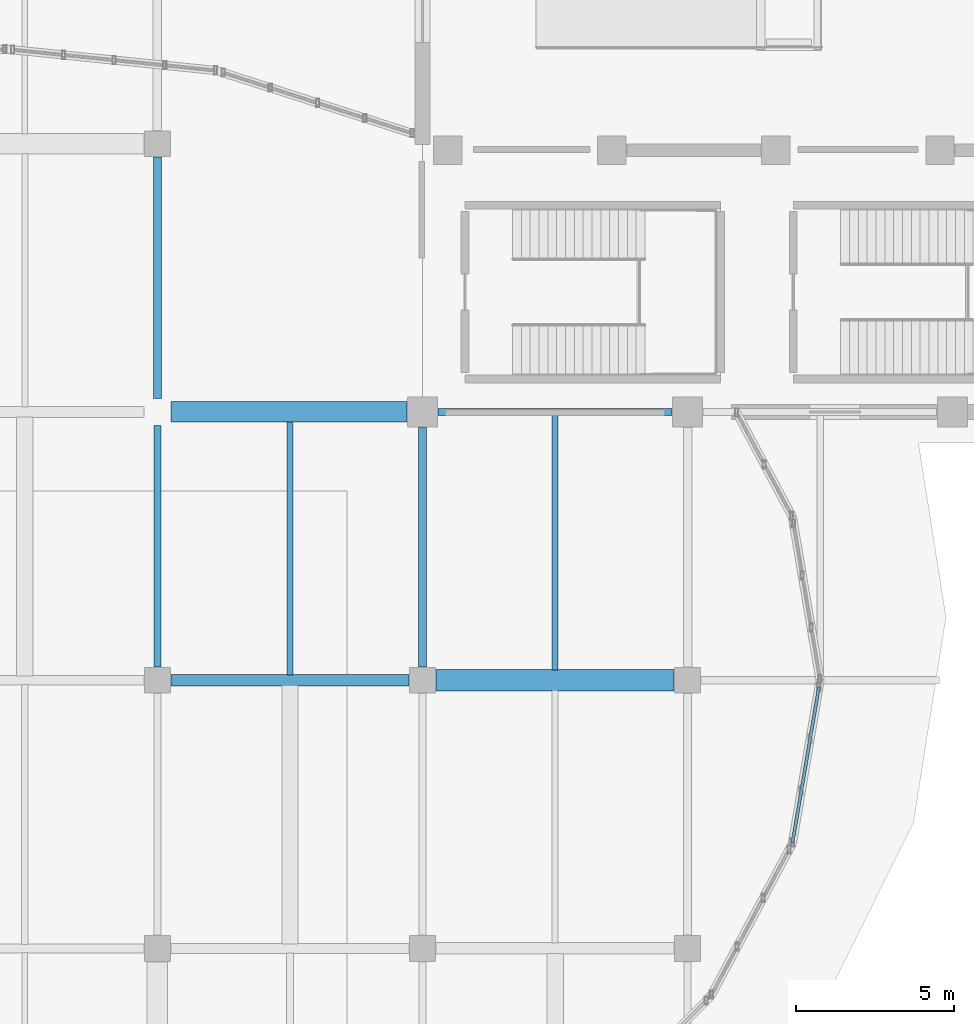
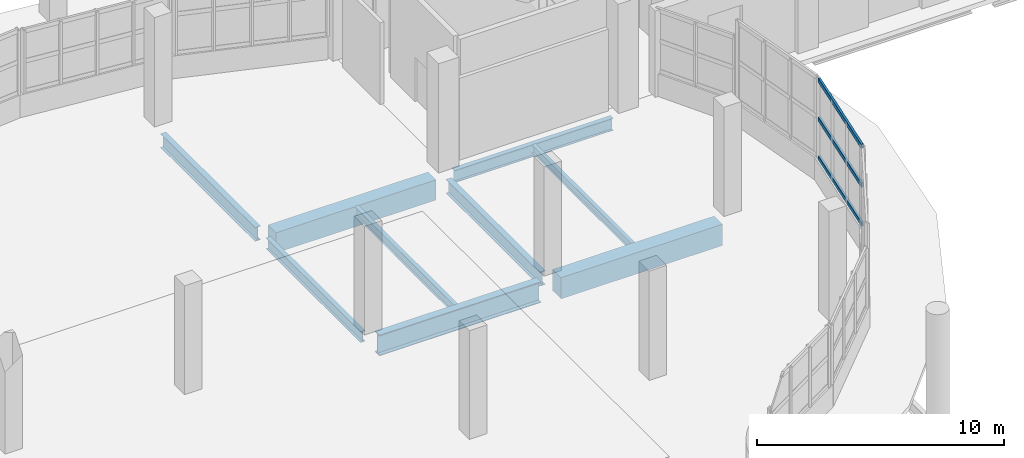
# One storey, part 15 of 107: 9 beams, 3 members, 1 element without a shape of its own.
"""IFC4 building model written with IfcOpenShell, lengths in metres."""

from ifc_helpers import new_model, si_unit, direction, frame, origin, origin_2d, place, context, subcontext, project, spatial, rectangle, hollow_rectangle, i_section, extrude, material, material_profile, profile_set, type_object, element, aggregate, save


model = new_model("IFC4")

# Units and contexts
model_context = context("Model", 3, precision=1e-05, world=origin(), true_north=direction((0.0, 1.0)))
body_context = subcontext(model_context, "Body", "Model", "MODEL_VIEW")
ifc_project = project(units=[si_unit("LENGTHUNIT", "METRE"), si_unit("AREAUNIT", "SQUARE_METRE"), si_unit("VOLUMEUNIT", "CUBIC_METRE"), si_unit("PLANEANGLEUNIT", "RADIAN"), si_unit("MASSUNIT", "GRAM", prefix="KILO")], contexts=[model_context])

# Site, building, storey
site_placement = place(None, origin())
site = spatial("IfcSite", under=ifc_project, at=site_placement, CompositionType="ELEMENT")
building_placement = place(site_placement, origin())
building = spatial("IfcBuilding", under=site, at=building_placement, Name="Solvento Point Concert Hall", CompositionType="ELEMENT")
storey_placement = place(building_placement, origin())
storey = spatial("IfcBuildingStorey", under=building, at=storey_placement, Name="L00", CompositionType="ELEMENT", Elevation=0.0)

# Beams
ifc_material_1 = material(Name="Structural Steel ASTM A992 Grade 50", Category="steel")
ifc_material_profile_1 = material_profile(ifc_material_1, i_section(OverallWidth=0.214111328125, OverallDepth=0.549072265625, WebThickness=0.0146484375, FlangeThickness=0.023681640625, at=origin_2d()), Name="W21X93")
ifc_profile_set_1 = profile_set([ifc_material_profile_1], Name="Structural Steel ASTM A992 Grade 50")
beam_type_1 = type_object("IfcBeamType", Name="Beam_W21X93", PredefinedType="BEAM", material=ifc_profile_set_1)
beam_1_placement = place(storey_placement, frame((66.0, 34.424072265625, -0.6884765625), z_axis=(0.0, 1.0, 0.0), x_axis=(-1.0, 0.0, 0.0)))
element("IfcBeam", 1, at=beam_1_placement, inside=storey, type_object=beam_type_1, Name="Primary girder B-48 L00", PredefinedType="BEAM", context=body_context, shape_type="SweptSolid", body=[
    extrude(i_section(OverallWidth=0.214111328125, OverallDepth=0.549072265625, WebThickness=0.0146484375, FlangeThickness=0.023681640625, at=origin_2d()), origin(), (0.0, 0.0, 1.0), 7.65185546875),
])
ifc_material_2 = material(Name="Structural Steel ASTM A992 Grade 50", Category="steel")
ifc_material_profile_2 = material_profile(ifc_material_2, i_section(OverallWidth=0.228515625, OverallDepth=0.60791015625, WebThickness=0.01123046875, FlangeThickness=0.017333984375, at=origin_2d()), Name="W24X76")
ifc_profile_set_2 = profile_set([ifc_material_profile_2], Name="Structural Steel ASTM A992 Grade 50")
beam_type_2 = type_object("IfcBeamType", Name="Beam_W24X76", PredefinedType="BEAM", material=ifc_profile_set_2)
beam_2_placement = place(storey_placement, frame((74.89404296875, 42.5, -0.738037109375), z_axis=(1.0, 0.0, 0.0), x_axis=(0.0, 1.0, 0.0)))
element("IfcBeam", 2, at=beam_2_placement, inside=storey, type_object=beam_type_2, Name="Primary girder B-42 L00", PredefinedType="BEAM", context=body_context, shape_type="SweptSolid", body=[
    extrude(i_section(OverallWidth=0.228515625, OverallDepth=0.60791015625, WebThickness=0.01123046875, FlangeThickness=0.017333984375, at=origin_2d()), origin(), (0.0, 0.0, 1.0), 7.411865234375),
])
ifc_material_3 = material(Name="Concrete C35/45", Category="concrete")
ifc_material_profile_3 = material_profile(ifc_material_3, rectangle(XDim=0.64990234375, YDim=1.0, at=origin_2d()), Name="RC-BM-650X1000")
ifc_profile_set_3 = profile_set([ifc_material_profile_3], Name="Concrete C35/45")
beam_type_3 = type_object("IfcBeamType", Name="Girder_RC_650x1000", PredefinedType="USERDEFINED", material=ifc_profile_set_3)
beam_3_placement = place(storey_placement, frame((66.424072265625, 42.5, -0.9140625), z_axis=(1.0, 0.0, 0.0), x_axis=(0.0, 1.0, 0.0)))
element("IfcBeam", 3, at=beam_3_placement, inside=storey, type_object=beam_type_3, Name="Primary girder B-67 L00", ObjectType="GIRDER", PredefinedType="USERDEFINED", context=body_context, shape_type="SweptSolid", body=[
    extrude(rectangle(XDim=0.64990234375, YDim=1.0, at=origin_2d()), origin(), (0.0, 0.0, 1.0), 7.48193359375),
])
ifc_material_4 = material(Name="Concrete C35/45", Category="concrete")
ifc_material_profile_4 = material_profile(ifc_material_4, rectangle(XDim=0.679931640625, YDim=1.050048828125, at=origin_2d()), Name="RC-BM-680X1050")
ifc_profile_set_4 = profile_set([ifc_material_profile_4], Name="Concrete C35/45")
beam_type_4 = type_object("IfcBeamType", Name="Girder_RC_680x1050", PredefinedType="USERDEFINED", material=ifc_profile_set_4)
beam_4_placement = place(storey_placement, frame((74.823974609375, 34.0, -0.93896484375), z_axis=(1.0, 0.0, 0.0), x_axis=(0.0, 1.0, 0.0)))
element("IfcBeam", 4, at=beam_4_placement, inside=storey, type_object=beam_type_4, Name="Primary girder B-91 L00", ObjectType="GIRDER", PredefinedType="USERDEFINED", context=body_context, shape_type="SweptSolid", body=[
    extrude(rectangle(XDim=0.679931640625, YDim=1.050048828125, at=origin_2d()), origin(), (0.0, 0.0, 1.0), 7.552001953125),
])
ifc_material_5 = material(Name="Structural Steel ASTM A992 Grade 50", Category="steel")
ifc_material_profile_5 = material_profile(ifc_material_5, i_section(OverallWidth=0.256103515625, OverallDepth=0.693115234375, WebThickness=0.014404296875, FlangeThickness=0.023681640625, at=origin_2d()), Name="W27X114")
ifc_profile_set_5 = profile_set([ifc_material_profile_5], Name="Structural Steel ASTM A992 Grade 50")
beam_type_5 = type_object("IfcBeamType", Name="Girder_W27X114", PredefinedType="USERDEFINED", material=ifc_profile_set_5)
beam_5_placement = place(storey_placement, frame((66.0, 42.924072265625, -0.760498046875), z_axis=(0.0, 1.0, 0.0), x_axis=(-1.0, 0.0, 0.0)))
element("IfcBeam", 5, at=beam_5_placement, inside=storey, type_object=beam_type_5, Name="Primary girder B-23 L00", ObjectType="GIRDER", PredefinedType="USERDEFINED", context=body_context, shape_type="SweptSolid", body=[
    extrude(i_section(OverallWidth=0.256103515625, OverallDepth=0.693115234375, WebThickness=0.014404296875, FlangeThickness=0.023681640625, at=origin_2d()), origin(), (0.0, 0.0, 1.0), 7.65185546875),
])
beam_6_placement = place(storey_placement, frame((74.39990234375, 34.424072265625, -0.760498046875), z_axis=(0.0, 1.0, 0.0), x_axis=(-1.0, 0.0, 0.0)))
element("IfcBeam", 6, at=beam_6_placement, inside=storey, type_object=beam_type_5, Name="Primary girder B-23 L00", ObjectType="GIRDER", PredefinedType="USERDEFINED", context=body_context, shape_type="SweptSolid", body=[
    extrude(i_section(OverallWidth=0.256103515625, OverallDepth=0.693115234375, WebThickness=0.014404296875, FlangeThickness=0.023681640625, at=origin_2d()), origin(), (0.0, 0.0, 1.0), 7.58203125),
])
ifc_material_6 = material(Name="Structural Steel ASTM A992 Grade 50", Category="steel")
ifc_material_profile_6 = material_profile(ifc_material_6, i_section(OverallWidth=0.361083984375, OverallDepth=1.02587890625, WebThickness=0.01904296875, FlangeThickness=0.0361328125, at=origin_2d()), Name="W40X249")
ifc_profile_set_6 = profile_set([ifc_material_profile_6], Name="Structural Steel ASTM A992 Grade 50")
beam_type_6 = type_object("IfcBeamType", Name="Girder_W40X249", PredefinedType="USERDEFINED", material=ifc_profile_set_6)
beam_7_placement = place(storey_placement, frame((66.424072265625, 34.0, -0.927001953125), z_axis=(1.0, 0.0, 0.0), x_axis=(0.0, 1.0, 0.0)))
element("IfcBeam", 7, at=beam_7_placement, inside=storey, type_object=beam_type_6, Name="Primary girder B-29 L00", ObjectType="GIRDER", PredefinedType="USERDEFINED", context=body_context, shape_type="SweptSolid", body=[
    extrude(i_section(OverallWidth=0.361083984375, OverallDepth=1.02587890625, WebThickness=0.01904296875, FlangeThickness=0.0361328125, at=origin_2d()), origin(), (0.0, 0.0, 1.0), 7.552001953125),
])
ifc_material_7 = material(Name="Structural Steel ASTM A992 Grade 50", Category="steel")
ifc_material_profile_7 = material_profile(ifc_material_7, i_section(OverallWidth=0.177490234375, OverallDepth=0.403076171875, WebThickness=0.007568359375, FlangeThickness=0.010986328125, at=origin_2d()), Name="W16X36")
ifc_profile_set_7 = profile_set([ifc_material_profile_7], Name="Structural Steel ASTM A992 Grade 50")
beam_type_7 = type_object("IfcBeamType", Name="Joist_W16X36", PredefinedType="JOIST", material=ifc_profile_set_7)
beam_8_placement = place(storey_placement, frame((78.60009765625, 34.324951171875, -0.635498046875), z_axis=(0.0, 1.0, 0.0), x_axis=(-1.0, 0.0, 0.0)))
element("IfcBeam", 8, at=beam_8_placement, inside=storey, type_object=beam_type_7, Name="Secondary floor joist B-30 L00", PredefinedType="JOIST", context=body_context, shape_type="SweptSolid", body=[
    extrude(i_section(OverallWidth=0.177490234375, OverallDepth=0.403076171875, WebThickness=0.007568359375, FlangeThickness=0.010986328125, at=origin_2d()), origin(), (0.0, 0.0, 1.0), 8.075927734375),
])
ifc_material_8 = material(Name="Structural Steel ASTM A992 Grade 50", Category="steel")
ifc_material_profile_8 = material_profile(ifc_material_8, i_section(OverallWidth=0.1904296875, OverallDepth=0.45703125, WebThickness=0.009033203125, FlangeThickness=0.014404296875, at=origin_2d()), Name="W18X50")
ifc_profile_set_8 = profile_set([ifc_material_profile_8], Name="Structural Steel ASTM A992 Grade 50")
beam_type_8 = type_object("IfcBeamType", Name="Joist_W18X50", PredefinedType="JOIST", material=ifc_profile_set_8)
beam_9_placement = place(storey_placement, frame((70.199951171875, 34.16552734375, -0.642578125), z_axis=(0.0, 1.0, 0.0), x_axis=(-1.0, 0.0, 0.0)))
element("IfcBeam", 9, at=beam_9_placement, inside=storey, type_object=beam_type_8, Name="Secondary floor joist B-66 L00", PredefinedType="JOIST", context=body_context, shape_type="SweptSolid", body=[
    extrude(i_section(OverallWidth=0.1904296875, OverallDepth=0.45703125, WebThickness=0.009033203125, FlangeThickness=0.014404296875, at=origin_2d()), origin(), (0.0, 0.0, 1.0), 8.0244140625),
])

# Curtain wall, members
ifc_material_9 = material(Name="Anodized Bronze Aluminium", Category="aluminium")
curtain_wall_type = type_object("IfcCurtainWallType", Name="CurtainWall_FoyerL00", PredefinedType="USERDEFINED", material=ifc_material_9)
curtain_wall_placement = place(storey_placement, origin())
curtain_wall = element("IfcCurtainWall", 10, at=curtain_wall_placement, inside=storey, type_object=curtain_wall_type, Name="Unitised curtain wall CW-29 UCW-L00-016", ObjectType="UNITISED CURTAIN WALL", PredefinedType="USERDEFINED")
ifc_material_10 = material(Name="Anodized Bronze Aluminium", Category="aluminium")
ifc_material_profile_9 = material_profile(ifc_material_10, hollow_rectangle(XDim=0.10009765625, YDim=0.2099609375, WallThickness=0.0048828125, at=origin_2d()), Name="CW-TRN-100X210")
ifc_profile_set_9 = profile_set([ifc_material_profile_9], Name="Anodized Bronze Aluminium")
member_type = type_object("IfcMemberType", Name="Transom_100x210", PredefinedType="USERDEFINED", material=ifc_profile_set_9)
member_1_placement = place(storey_placement, frame((86.963134765625, 33.783203125, 1.199951171875), z_axis=(-0.167414699656, -0.985886564641, 0.0), x_axis=(0.985886564641, -0.167414699656, 0.0)))
member_1 = element("IfcMember", 11, at=member_1_placement, type_object=member_type, Name="Curtain wall transom TR-03", ObjectType="TRANSOM", PredefinedType="USERDEFINED", context=body_context, shape_type="SweptSolid", body=[
    extrude(hollow_rectangle(XDim=0.10009765625, YDim=0.2099609375, WallThickness=0.0048828125, at=origin_2d()), origin(), (0.0, 0.0, 1.0), 5.00048828125),
])
member_2_placement = place(storey_placement, frame((86.963134765625, 33.783203125, 3.1201171875), z_axis=(-0.167414699656, -0.985886564641, 0.0), x_axis=(0.985886564641, -0.167414699656, 0.0)))
member_2 = element("IfcMember", 12, at=member_2_placement, type_object=member_type, Name="Curtain wall transom TR-03", ObjectType="TRANSOM", PredefinedType="USERDEFINED", context=body_context, shape_type="SweptSolid", body=[
    extrude(hollow_rectangle(XDim=0.10009765625, YDim=0.2099609375, WallThickness=0.0048828125, at=origin_2d()), origin(), (0.0, 0.0, 1.0), 5.00048828125),
])
member_3_placement = place(storey_placement, frame((86.963134765625, 33.783203125, 5.0400390625), z_axis=(-0.167414699656, -0.985886564641, 0.0), x_axis=(0.985886564641, -0.167414699656, 0.0)))
member_3 = element("IfcMember", 13, at=member_3_placement, type_object=member_type, Name="Curtain wall transom TR-03", ObjectType="TRANSOM", PredefinedType="USERDEFINED", context=body_context, shape_type="SweptSolid", body=[
    extrude(hollow_rectangle(XDim=0.10009765625, YDim=0.2099609375, WallThickness=0.0048828125, at=origin_2d()), origin(), (0.0, 0.0, 1.0), 5.00048828125),
])
aggregate(curtain_wall, [member_1, member_2, member_3])

save(model, "model.ifc")
